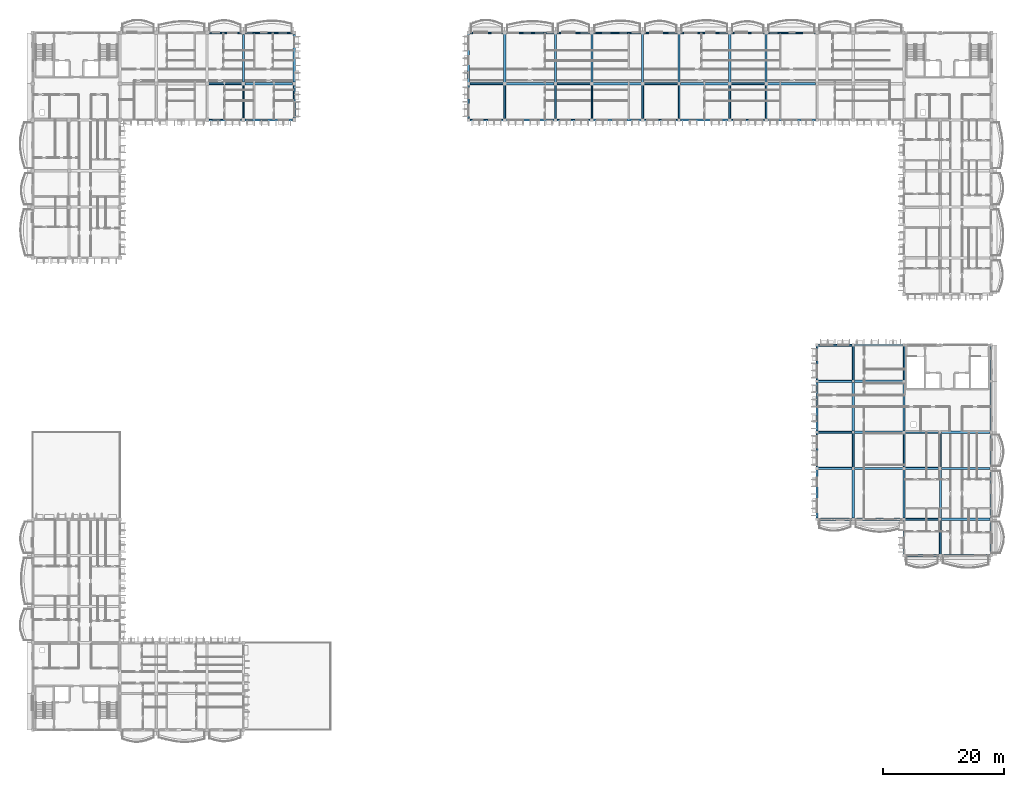
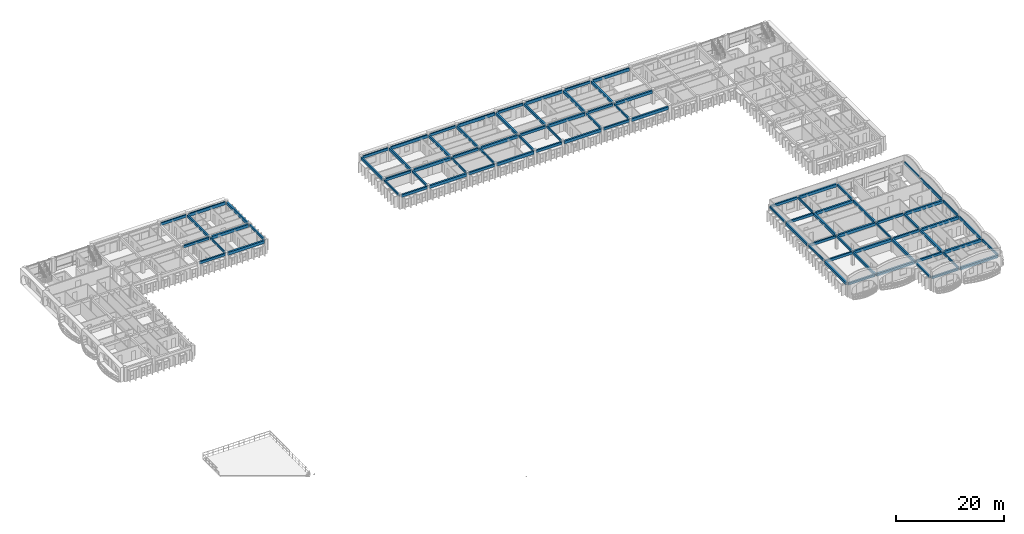
# One storey, part 6 of 59: 89 beams.
"""IFC4 building model written with IfcOpenShell, lengths in metres."""

from ifc_helpers import new_model, si_unit, direction, frame, origin, origin_2d, place, context, subcontext, project, spatial, rectangle, extrude, material, material_profile, profile_set, type_object, element, save


model = new_model("IFC4")

# Units and contexts
model_context = context("Model", 3, precision=1e-05, world=origin(), true_north=direction((0.0, 1.0)))
body_context = subcontext(model_context, "Body", "Model", "MODEL_VIEW")
ifc_project = project(units=[si_unit("LENGTHUNIT", "METRE"), si_unit("AREAUNIT", "SQUARE_METRE"), si_unit("VOLUMEUNIT", "CUBIC_METRE"), si_unit("PLANEANGLEUNIT", "RADIAN"), si_unit("MASSUNIT", "GRAM", prefix="KILO"), si_unit("THERMODYNAMICTEMPERATUREUNIT", "KELVIN")], contexts=[model_context])

# Site, building, storey
site_placement = place(None, origin())
site = spatial("IfcSite", under=ifc_project, at=site_placement, CompositionType="ELEMENT")
building_placement = place(site_placement, origin())
building = spatial("IfcBuilding", under=site, at=building_placement, Name="Thalorik Housing Commons", CompositionType="ELEMENT")
storey_placement = place(building_placement, frame((0.0, 0.0, 27.89990234375)))
storey = spatial("IfcBuildingStorey", under=building, at=storey_placement, Name="L08", CompositionType="ELEMENT", Elevation=27.89990234375)

# Beams
ifc_material = material(Name="Precast concrete C40/50", Category="concrete")
ifc_material_profile_1 = material_profile(ifc_material, rectangle(XDim=0.280029296875, YDim=0.449951171875, at=origin_2d()), Name="PC 280x450", Category="concrete")
ifc_profile_set_1 = profile_set([ifc_material_profile_1], Name="Precast concrete C40/50")
beam_type_1 = type_object("IfcBeamType", Name="STR-BM-PC280x450", PredefinedType="BEAM", material=ifc_profile_set_1)
for number, where, z_axis, x_axis, name in (
    (1, (43.199951171875, 109.449951171875, 2.815185546875), (0.0, 1.0, 0.0), (-1.0, 0.0, 0.0), "L08 Beam B-450"),
    (2, (51.60009765625, 109.449951171875, 2.815185546875), (0.0, 1.0, 0.0), (-1.0, 0.0, 0.0), "L08 Beam B-450"),
):
    element("IfcBeam", number, at=place(storey_placement, frame(where, z_axis=z_axis, x_axis=x_axis)), inside=storey, type_object=beam_type_1, Name=name, PredefinedType="BEAM", context=body_context, shape_type="SweptSolid", body=[
        extrude(rectangle(XDim=0.280029296875, YDim=0.449951171875, at=origin_2d()), origin(), (0.0, 0.0, 1.0), 5.5),
    ])
for number, where, z_axis, x_axis, name in (
    (3, (80.39990234375, 109.425048828125, 2.815185546875), (0.0, 1.0, 0.0), (-1.0, 0.0, 0.0), "L08 Beam B-450"),
    (4, (86.39990234375, 109.425048828125, 2.815185546875), (0.0, 1.0, 0.0), (-1.0, 0.0, 0.0), "L08 Beam B-450"),
    (5, (94.800048828125, 109.425048828125, 2.815185546875), (0.0, 1.0, 0.0), (-1.0, 0.0, 0.0), "L08 Beam B-450"),
    (6, (100.800048828125, 109.425048828125, 2.815185546875), (0.0, 1.0, 0.0), (-1.0, 0.0, 0.0), "L08 Beam B-450"),
    (7, (109.199951171875, 109.425048828125, 2.815185546875), (0.0, 1.0, 0.0), (-1.0, 0.0, 0.0), "L08 Beam B-450"),
    (8, (115.199951171875, 109.425048828125, 2.815185546875), (0.0, 1.0, 0.0), (-1.0, 0.0, 0.0), "L08 Beam B-450"),
    (9, (123.60009765625, 109.425048828125, 2.815185546875), (0.0, 1.0, 0.0), (-1.0, 0.0, 0.0), "L08 Beam B-450"),
    (10, (129.60009765625, 109.425048828125, 2.815185546875), (0.0, 1.0, 0.0), (-1.0, 0.0, 0.0), "L08 Beam B-450"),
):
    element("IfcBeam", number, at=place(storey_placement, frame(where, z_axis=z_axis, x_axis=x_axis)), inside=storey, type_object=beam_type_1, Name=name, PredefinedType="BEAM", context=body_context, shape_type="SweptSolid", body=[
        extrude(rectangle(XDim=0.280029296875, YDim=0.449951171875, at=origin_2d()), origin(), (0.0, 0.0, 1.0), 5.550048828125),
    ])
beam_1_placement = place(storey_placement, frame((138.0, 51.77490234375, 2.815185546875), z_axis=(0.0, 1.0, 0.0), x_axis=(-1.0, 0.0, 0.0)))
element("IfcBeam", 11, at=beam_1_placement, inside=storey, type_object=beam_type_1, Name="L08 Beam B-450", PredefinedType="BEAM", context=body_context, shape_type="SweptSolid", body=[
    extrude(rectangle(XDim=0.280029296875, YDim=0.449951171875, at=origin_2d()), origin(), (0.0, 0.0, 1.0), 5.650146484375),
])
beam_2_placement = place(storey_placement, frame((138.0, 66.175048828125, 2.815185546875), z_axis=(0.0, 1.0, 0.0), x_axis=(-1.0, 0.0, 0.0)))
element("IfcBeam", 12, at=beam_2_placement, inside=storey, type_object=beam_type_1, Name="L08 Beam B-450", PredefinedType="BEAM", context=body_context, shape_type="SweptSolid", body=[
    extrude(rectangle(XDim=0.280029296875, YDim=0.449951171875, at=origin_2d()), origin(), (0.0, 0.0, 1.0), 5.64990234375),
])
beam_3_placement = place(storey_placement, frame((144.0, 51.77490234375, 2.815185546875), z_axis=(0.0, 1.0, 0.0), x_axis=(-1.0, 0.0, 0.0)))
element("IfcBeam", 13, at=beam_3_placement, inside=storey, type_object=beam_type_1, Name="L08 Beam B-450", PredefinedType="BEAM", context=body_context, shape_type="SweptSolid", body=[
    extrude(rectangle(XDim=0.280029296875, YDim=0.449951171875, at=origin_2d()), origin(), (0.0, 0.0, 1.0), 5.650146484375),
])
for number, where, z_axis, x_axis, name in (
    (14, (144.0, 66.175048828125, 2.815185546875), (0.0, 1.0, 0.0), (-1.0, 0.0, 0.0), "L08 Beam B-450"),
    (15, (152.39990234375, 37.375, 2.815185546875), (0.0, 1.0, 0.0), (-1.0, 0.0, 0.0), "L08 Beam B-450"),
):
    element("IfcBeam", number, at=place(storey_placement, frame(where, z_axis=z_axis, x_axis=x_axis)), inside=storey, type_object=beam_type_1, Name=name, PredefinedType="BEAM", context=body_context, shape_type="SweptSolid", body=[
        extrude(rectangle(XDim=0.280029296875, YDim=0.449951171875, at=origin_2d()), origin(), (0.0, 0.0, 1.0), 5.64990234375),
    ])
beam_4_placement = place(storey_placement, frame((152.39990234375, 51.77490234375, 2.815185546875), z_axis=(0.0, 1.0, 0.0), x_axis=(-1.0, 0.0, 0.0)))
element("IfcBeam", 16, at=beam_4_placement, inside=storey, type_object=beam_type_1, Name="L08 Beam B-450", PredefinedType="BEAM", context=body_context, shape_type="SweptSolid", body=[
    extrude(rectangle(XDim=0.280029296875, YDim=0.449951171875, at=origin_2d()), origin(), (0.0, 0.0, 1.0), 5.650146484375),
])
for number, where, z_axis, x_axis, name in (
    (17, (152.39990234375, 66.175048828125, 2.815185546875), (0.0, 1.0, 0.0), (-1.0, 0.0, 0.0), "L08 Beam B-450"),
    (18, (158.39990234375, 37.375, 2.815185546875), (0.0, 1.0, 0.0), (-1.0, 0.0, 0.0), "L08 Beam B-450"),
):
    element("IfcBeam", number, at=place(storey_placement, frame(where, z_axis=z_axis, x_axis=x_axis)), inside=storey, type_object=beam_type_1, Name=name, PredefinedType="BEAM", context=body_context, shape_type="SweptSolid", body=[
        extrude(rectangle(XDim=0.280029296875, YDim=0.449951171875, at=origin_2d()), origin(), (0.0, 0.0, 1.0), 5.64990234375),
    ])
beam_5_placement = place(storey_placement, frame((158.39990234375, 51.77490234375, 2.815185546875), z_axis=(0.0, 1.0, 0.0), x_axis=(-1.0, 0.0, 0.0)))
element("IfcBeam", 19, at=beam_5_placement, inside=storey, type_object=beam_type_1, Name="L08 Beam B-450", PredefinedType="BEAM", context=body_context, shape_type="SweptSolid", body=[
    extrude(rectangle(XDim=0.280029296875, YDim=0.449951171875, at=origin_2d()), origin(), (0.0, 0.0, 1.0), 5.650146484375),
])
ifc_material_profile_2 = material_profile(ifc_material, rectangle(XDim=0.320068359375, YDim=0.550048828125, at=origin_2d()), Name="PC 320x550", Category="concrete")
ifc_profile_set_2 = profile_set([ifc_material_profile_2], Name="Precast concrete C40/50")
beam_type_2 = type_object("IfcBeamType", Name="STR-BM-PC320x550", PredefinedType="BEAM", material=ifc_profile_set_2)
beam_6_placement = place(storey_placement, frame((152.574951171875, 37.199951171875, 2.76513671875), z_axis=(1.0, 0.0, 0.0), x_axis=(0.0, 1.0, 0.0)))
element("IfcBeam", 20, at=beam_6_placement, inside=storey, type_object=beam_type_2, Name="L08 Beam B-550", PredefinedType="BEAM", context=body_context, shape_type="SweptSolid", body=[
    extrude(rectangle(XDim=0.320068359375, YDim=0.550048828125, at=origin_2d()), origin(), (0.0, 0.0, 1.0), 5.650146484375),
])
beam_7_placement = place(storey_placement, frame((138.175048828125, 43.199951171875, 2.76513671875), z_axis=(1.0, 0.0, 0.0), x_axis=(0.0, 1.0, 0.0)))
element("IfcBeam", 21, at=beam_7_placement, inside=storey, type_object=beam_type_2, Name="L08 Beam B-550", PredefinedType="BEAM", context=body_context, shape_type="SweptSolid", body=[
    extrude(rectangle(XDim=0.320068359375, YDim=0.550048828125, at=origin_2d()), origin(), (0.0, 0.0, 1.0), 5.64990234375),
])
beam_8_placement = place(storey_placement, frame((152.574951171875, 43.199951171875, 2.76513671875), z_axis=(1.0, 0.0, 0.0), x_axis=(0.0, 1.0, 0.0)))
element("IfcBeam", 22, at=beam_8_placement, inside=storey, type_object=beam_type_2, Name="L08 Beam B-550", PredefinedType="BEAM", context=body_context, shape_type="SweptSolid", body=[
    extrude(rectangle(XDim=0.320068359375, YDim=0.550048828125, at=origin_2d()), origin(), (0.0, 0.0, 1.0), 5.650146484375),
])
beam_9_placement = place(storey_placement, frame((138.175048828125, 51.60009765625, 2.76513671875), z_axis=(1.0, 0.0, 0.0), x_axis=(0.0, 1.0, 0.0)))
element("IfcBeam", 23, at=beam_9_placement, inside=storey, type_object=beam_type_2, Name="L08 Beam B-550", PredefinedType="BEAM", context=body_context, shape_type="SweptSolid", body=[
    extrude(rectangle(XDim=0.320068359375, YDim=0.550048828125, at=origin_2d()), origin(), (0.0, 0.0, 1.0), 5.64990234375),
])
beam_10_placement = place(storey_placement, frame((152.574951171875, 51.60009765625, 2.76513671875), z_axis=(1.0, 0.0, 0.0), x_axis=(0.0, 1.0, 0.0)))
element("IfcBeam", 24, at=beam_10_placement, inside=storey, type_object=beam_type_2, Name="L08 Beam B-550", PredefinedType="BEAM", context=body_context, shape_type="SweptSolid", body=[
    extrude(rectangle(XDim=0.320068359375, YDim=0.550048828125, at=origin_2d()), origin(), (0.0, 0.0, 1.0), 5.650146484375),
])
beam_11_placement = place(storey_placement, frame((138.175048828125, 57.60009765625, 2.76513671875), z_axis=(1.0, 0.0, 0.0), x_axis=(0.0, 1.0, 0.0)))
element("IfcBeam", 25, at=beam_11_placement, inside=storey, type_object=beam_type_2, Name="L08 Beam B-550", PredefinedType="BEAM", context=body_context, shape_type="SweptSolid", body=[
    extrude(rectangle(XDim=0.320068359375, YDim=0.550048828125, at=origin_2d()), origin(), (0.0, 0.0, 1.0), 5.64990234375),
])
beam_12_placement = place(storey_placement, frame((152.574951171875, 57.60009765625, 2.76513671875), z_axis=(1.0, 0.0, 0.0), x_axis=(0.0, 1.0, 0.0)))
element("IfcBeam", 26, at=beam_12_placement, inside=storey, type_object=beam_type_2, Name="L08 Beam B-550", PredefinedType="BEAM", context=body_context, shape_type="SweptSolid", body=[
    extrude(rectangle(XDim=0.320068359375, YDim=0.550048828125, at=origin_2d()), origin(), (0.0, 0.0, 1.0), 5.650146484375),
])
for number, where, z_axis, x_axis, name in (
    (27, (138.175048828125, 66.0, 2.76513671875), (1.0, 0.0, 0.0), (0.0, 1.0, 0.0), "L08 Beam B-550"),
    (28, (138.175048828125, 72.0, 2.76513671875), (1.0, 0.0, 0.0), (0.0, 1.0, 0.0), "L08 Beam B-550"),
):
    element("IfcBeam", number, at=place(storey_placement, frame(where, z_axis=z_axis, x_axis=x_axis)), inside=storey, type_object=beam_type_2, Name=name, PredefinedType="BEAM", context=body_context, shape_type="SweptSolid", body=[
        extrude(rectangle(XDim=0.320068359375, YDim=0.550048828125, at=origin_2d()), origin(), (0.0, 0.0, 1.0), 5.64990234375),
    ])
beam_13_placement = place(storey_placement, frame((37.449951171875, 109.199951171875, 2.76513671875), z_axis=(1.0, 0.0, 0.0), x_axis=(0.0, 1.0, 0.0)))
element("IfcBeam", 29, at=beam_13_placement, inside=storey, type_object=beam_type_2, Name="L08 Beam B-550", PredefinedType="BEAM", context=body_context, shape_type="SweptSolid", body=[
    extrude(rectangle(XDim=0.320068359375, YDim=0.550048828125, at=origin_2d()), origin(), (0.0, 0.0, 1.0), 5.5),
])
for number, where, z_axis, x_axis, name in (
    (30, (80.625, 109.199951171875, 2.76513671875), (1.0, 0.0, 0.0), (0.0, 1.0, 0.0), "L08 Beam B-550"),
    (31, (95.02490234375, 109.199951171875, 2.76513671875), (1.0, 0.0, 0.0), (0.0, 1.0, 0.0), "L08 Beam B-550"),
    (32, (109.425048828125, 109.199951171875, 2.76513671875), (1.0, 0.0, 0.0), (0.0, 1.0, 0.0), "L08 Beam B-550"),
    (33, (123.824951171875, 109.199951171875, 2.76513671875), (1.0, 0.0, 0.0), (0.0, 1.0, 0.0), "L08 Beam B-550"),
):
    element("IfcBeam", number, at=place(storey_placement, frame(where, z_axis=z_axis, x_axis=x_axis)), inside=storey, type_object=beam_type_2, Name=name, PredefinedType="BEAM", context=body_context, shape_type="SweptSolid", body=[
        extrude(rectangle(XDim=0.320068359375, YDim=0.550048828125, at=origin_2d()), origin(), (0.0, 0.0, 1.0), 5.550048828125),
    ])
beam_14_placement = place(storey_placement, frame((37.449951171875, 115.199951171875, 2.76513671875), z_axis=(1.0, 0.0, 0.0), x_axis=(0.0, 1.0, 0.0)))
element("IfcBeam", 34, at=beam_14_placement, inside=storey, type_object=beam_type_2, Name="L08 Beam B-550", PredefinedType="BEAM", context=body_context, shape_type="SweptSolid", body=[
    extrude(rectangle(XDim=0.320068359375, YDim=0.550048828125, at=origin_2d()), origin(), (0.0, 0.0, 1.0), 5.5),
])
for number, where, z_axis, x_axis, name in (
    (35, (80.625, 115.199951171875, 2.76513671875), (1.0, 0.0, 0.0), (0.0, 1.0, 0.0), "L08 Beam B-550"),
    (36, (95.02490234375, 115.199951171875, 2.76513671875), (1.0, 0.0, 0.0), (0.0, 1.0, 0.0), "L08 Beam B-550"),
    (37, (109.425048828125, 115.199951171875, 2.76513671875), (1.0, 0.0, 0.0), (0.0, 1.0, 0.0), "L08 Beam B-550"),
    (38, (123.824951171875, 115.199951171875, 2.76513671875), (1.0, 0.0, 0.0), (0.0, 1.0, 0.0), "L08 Beam B-550"),
):
    element("IfcBeam", number, at=place(storey_placement, frame(where, z_axis=z_axis, x_axis=x_axis)), inside=storey, type_object=beam_type_2, Name=name, PredefinedType="BEAM", context=body_context, shape_type="SweptSolid", body=[
        extrude(rectangle(XDim=0.320068359375, YDim=0.550048828125, at=origin_2d()), origin(), (0.0, 0.0, 1.0), 5.550048828125),
    ])
ifc_material_profile_3 = material_profile(ifc_material, rectangle(XDim=0.35009765625, YDim=0.60009765625, at=origin_2d()), Name="PC 350x600", Category="concrete")
ifc_profile_set_3 = profile_set([ifc_material_profile_3], Name="Precast concrete C40/50")
beam_type_3 = type_object("IfcBeamType", Name="STR-BM-PC350x600", PredefinedType="BEAM", material=ifc_profile_set_3)
for number, where, z_axis, x_axis, name in (
    (39, (43.199951171875, 115.449951171875, 2.739990234375), (0.0, 1.0, 0.0), (-1.0, 0.0, 0.0), "L08 Beam B-600"),
    (40, (51.60009765625, 115.449951171875, 2.739990234375), (0.0, 1.0, 0.0), (-1.0, 0.0, 0.0), "L08 Beam B-600"),
):
    element("IfcBeam", number, at=place(storey_placement, frame(where, z_axis=z_axis, x_axis=x_axis)), inside=storey, type_object=beam_type_3, Name=name, PredefinedType="BEAM", context=body_context, shape_type="SweptSolid", body=[
        extrude(rectangle(XDim=0.35009765625, YDim=0.60009765625, at=origin_2d()), origin(), (0.0, 0.0, 1.0), 7.900146484375),
    ])
for number, where, z_axis, x_axis, name in (
    (41, (80.39990234375, 115.425048828125, 2.739990234375), (0.0, 1.0, 0.0), (-1.0, 0.0, 0.0), "L08 Beam B-600"),
    (42, (86.39990234375, 115.425048828125, 2.739990234375), (0.0, 1.0, 0.0), (-1.0, 0.0, 0.0), "L08 Beam B-600"),
    (43, (94.800048828125, 115.425048828125, 2.739990234375), (0.0, 1.0, 0.0), (-1.0, 0.0, 0.0), "L08 Beam B-600"),
    (44, (100.800048828125, 115.425048828125, 2.739990234375), (0.0, 1.0, 0.0), (-1.0, 0.0, 0.0), "L08 Beam B-600"),
    (45, (109.199951171875, 115.425048828125, 2.739990234375), (0.0, 1.0, 0.0), (-1.0, 0.0, 0.0), "L08 Beam B-600"),
    (46, (115.199951171875, 115.425048828125, 2.739990234375), (0.0, 1.0, 0.0), (-1.0, 0.0, 0.0), "L08 Beam B-600"),
    (47, (123.60009765625, 115.425048828125, 2.739990234375), (0.0, 1.0, 0.0), (-1.0, 0.0, 0.0), "L08 Beam B-600"),
    (48, (129.60009765625, 115.425048828125, 2.739990234375), (0.0, 1.0, 0.0), (-1.0, 0.0, 0.0), "L08 Beam B-600"),
):
    element("IfcBeam", number, at=place(storey_placement, frame(where, z_axis=z_axis, x_axis=x_axis)), inside=storey, type_object=beam_type_3, Name=name, PredefinedType="BEAM", context=body_context, shape_type="SweptSolid", body=[
        extrude(rectangle(XDim=0.35009765625, YDim=0.60009765625, at=origin_2d()), origin(), (0.0, 0.0, 1.0), 7.949951171875),
    ])
for number, where, z_axis, x_axis, name in (
    (49, (138.0, 43.375, 2.739990234375), (0.0, 1.0, 0.0), (-1.0, 0.0, 0.0), "L08 Beam B-600"),
    (50, (138.0, 57.77490234375, 2.739990234375), (0.0, 1.0, 0.0), (-1.0, 0.0, 0.0), "L08 Beam B-600"),
    (51, (144.0, 43.375, 2.739990234375), (0.0, 1.0, 0.0), (-1.0, 0.0, 0.0), "L08 Beam B-600"),
    (52, (144.0, 57.77490234375, 2.739990234375), (0.0, 1.0, 0.0), (-1.0, 0.0, 0.0), "L08 Beam B-600"),
    (53, (152.39990234375, 43.375, 2.739990234375), (0.0, 1.0, 0.0), (-1.0, 0.0, 0.0), "L08 Beam B-600"),
    (54, (152.39990234375, 57.77490234375, 2.739990234375), (0.0, 1.0, 0.0), (-1.0, 0.0, 0.0), "L08 Beam B-600"),
    (55, (158.39990234375, 43.375, 2.739990234375), (0.0, 1.0, 0.0), (-1.0, 0.0, 0.0), "L08 Beam B-600"),
):
    element("IfcBeam", number, at=place(storey_placement, frame(where, z_axis=z_axis, x_axis=x_axis)), inside=storey, type_object=beam_type_3, Name=name, PredefinedType="BEAM", context=body_context, shape_type="SweptSolid", body=[
        extrude(rectangle(XDim=0.35009765625, YDim=0.60009765625, at=origin_2d()), origin(), (0.0, 0.0, 1.0), 8.050048828125),
    ])
ifc_material_profile_4 = material_profile(ifc_material, rectangle(XDim=0.3798828125, YDim=0.64990234375, at=origin_2d()), Name="PC 380x650", Category="concrete")
ifc_profile_set_4 = profile_set([ifc_material_profile_4], Name="Precast concrete C40/50")
beam_type_4 = type_object("IfcBeamType", Name="STR-BM-PC380x650", PredefinedType="BEAM", material=ifc_profile_set_4)
for number, where, z_axis, x_axis, name in (
    (56, (158.574951171875, 37.199951171875, 2.715087890625), (1.0, 0.0, 0.0), (0.0, 1.0, 0.0), "L08 Beam B-650"),
    (57, (144.175048828125, 43.199951171875, 2.715087890625), (1.0, 0.0, 0.0), (0.0, 1.0, 0.0), "L08 Beam B-650"),
    (58, (158.574951171875, 43.199951171875, 2.715087890625), (1.0, 0.0, 0.0), (0.0, 1.0, 0.0), "L08 Beam B-650"),
    (59, (144.175048828125, 51.60009765625, 2.715087890625), (1.0, 0.0, 0.0), (0.0, 1.0, 0.0), "L08 Beam B-650"),
    (60, (158.574951171875, 51.60009765625, 2.715087890625), (1.0, 0.0, 0.0), (0.0, 1.0, 0.0), "L08 Beam B-650"),
    (61, (144.175048828125, 57.60009765625, 2.715087890625), (1.0, 0.0, 0.0), (0.0, 1.0, 0.0), "L08 Beam B-650"),
    (62, (158.574951171875, 57.60009765625, 2.715087890625), (1.0, 0.0, 0.0), (0.0, 1.0, 0.0), "L08 Beam B-650"),
    (63, (144.175048828125, 66.0, 2.715087890625), (1.0, 0.0, 0.0), (0.0, 1.0, 0.0), "L08 Beam B-650"),
    (64, (144.175048828125, 72.0, 2.715087890625), (1.0, 0.0, 0.0), (0.0, 1.0, 0.0), "L08 Beam B-650"),
):
    element("IfcBeam", number, at=place(storey_placement, frame(where, z_axis=z_axis, x_axis=x_axis)), inside=storey, type_object=beam_type_4, Name=name, PredefinedType="BEAM", context=body_context, shape_type="SweptSolid", body=[
        extrude(rectangle(XDim=0.3798828125, YDim=0.64990234375, at=origin_2d()), origin(), (0.0, 0.0, 1.0), 8.050048828125),
    ])
beam_15_placement = place(storey_placement, frame((43.449951171875, 109.199951171875, 2.715087890625), z_axis=(1.0, 0.0, 0.0), x_axis=(0.0, 1.0, 0.0)))
element("IfcBeam", 65, at=beam_15_placement, inside=storey, type_object=beam_type_4, Name="L08 Beam B-650", PredefinedType="BEAM", context=body_context, shape_type="SweptSolid", body=[
    extrude(rectangle(XDim=0.3798828125, YDim=0.64990234375, at=origin_2d()), origin(), (0.0, 0.0, 1.0), 7.900146484375),
])
beam_16_placement = place(storey_placement, frame((86.625, 109.199951171875, 2.715087890625), z_axis=(1.0, 0.0, 0.0), x_axis=(0.0, 1.0, 0.0)))
element("IfcBeam", 66, at=beam_16_placement, inside=storey, type_object=beam_type_4, Name="L08 Beam B-650", PredefinedType="BEAM", context=body_context, shape_type="SweptSolid", body=[
    extrude(rectangle(XDim=0.3798828125, YDim=0.64990234375, at=origin_2d()), origin(), (0.0, 0.0, 1.0), 7.949951171875),
])
beam_17_placement = place(storey_placement, frame((101.02490234375, 109.199951171875, 2.715087890625), z_axis=(1.0, 0.0, 0.0), x_axis=(0.0, 1.0, 0.0)))
element("IfcBeam", 67, at=beam_17_placement, inside=storey, type_object=beam_type_4, Name="L08 Beam B-650", PredefinedType="BEAM", context=body_context, shape_type="SweptSolid", body=[
    extrude(rectangle(XDim=0.3798828125, YDim=0.64990234375, at=origin_2d()), origin(), (0.0, 0.0, 1.0), 7.9501953125),
])
for number, where, z_axis, x_axis, name in (
    (68, (115.425048828125, 109.199951171875, 2.715087890625), (1.0, 0.0, 0.0), (0.0, 1.0, 0.0), "L08 Beam B-650"),
    (69, (129.824951171875, 109.199951171875, 2.715087890625), (1.0, 0.0, 0.0), (0.0, 1.0, 0.0), "L08 Beam B-650"),
):
    element("IfcBeam", number, at=place(storey_placement, frame(where, z_axis=z_axis, x_axis=x_axis)), inside=storey, type_object=beam_type_4, Name=name, PredefinedType="BEAM", context=body_context, shape_type="SweptSolid", body=[
        extrude(rectangle(XDim=0.3798828125, YDim=0.64990234375, at=origin_2d()), origin(), (0.0, 0.0, 1.0), 7.949951171875),
    ])
beam_18_placement = place(storey_placement, frame((43.449951171875, 115.199951171875, 2.715087890625), z_axis=(1.0, 0.0, 0.0), x_axis=(0.0, 1.0, 0.0)))
element("IfcBeam", 70, at=beam_18_placement, inside=storey, type_object=beam_type_4, Name="L08 Beam B-650", PredefinedType="BEAM", context=body_context, shape_type="SweptSolid", body=[
    extrude(rectangle(XDim=0.3798828125, YDim=0.64990234375, at=origin_2d()), origin(), (0.0, 0.0, 1.0), 7.900146484375),
])
beam_19_placement = place(storey_placement, frame((86.625, 115.199951171875, 2.715087890625), z_axis=(1.0, 0.0, 0.0), x_axis=(0.0, 1.0, 0.0)))
element("IfcBeam", 71, at=beam_19_placement, inside=storey, type_object=beam_type_4, Name="L08 Beam B-650", PredefinedType="BEAM", context=body_context, shape_type="SweptSolid", body=[
    extrude(rectangle(XDim=0.3798828125, YDim=0.64990234375, at=origin_2d()), origin(), (0.0, 0.0, 1.0), 7.949951171875),
])
beam_20_placement = place(storey_placement, frame((101.02490234375, 115.199951171875, 2.715087890625), z_axis=(1.0, 0.0, 0.0), x_axis=(0.0, 1.0, 0.0)))
element("IfcBeam", 72, at=beam_20_placement, inside=storey, type_object=beam_type_4, Name="L08 Beam B-650", PredefinedType="BEAM", context=body_context, shape_type="SweptSolid", body=[
    extrude(rectangle(XDim=0.3798828125, YDim=0.64990234375, at=origin_2d()), origin(), (0.0, 0.0, 1.0), 7.9501953125),
])
for number, where, z_axis, x_axis, name in (
    (73, (115.425048828125, 115.199951171875, 2.715087890625), (1.0, 0.0, 0.0), (0.0, 1.0, 0.0), "L08 Beam B-650"),
    (74, (129.824951171875, 115.199951171875, 2.715087890625), (1.0, 0.0, 0.0), (0.0, 1.0, 0.0), "L08 Beam B-650"),
):
    element("IfcBeam", number, at=place(storey_placement, frame(where, z_axis=z_axis, x_axis=x_axis)), inside=storey, type_object=beam_type_4, Name=name, PredefinedType="BEAM", context=body_context, shape_type="SweptSolid", body=[
        extrude(rectangle(XDim=0.3798828125, YDim=0.64990234375, at=origin_2d()), origin(), (0.0, 0.0, 1.0), 7.949951171875),
    ])
ifc_material_profile_5 = material_profile(ifc_material, rectangle(XDim=0.239990234375, YDim=0.580078125, at=origin_2d()), Name="PC SP 240x580", Category="concrete")
ifc_profile_set_5 = profile_set([ifc_material_profile_5], Name="Precast concrete C40/50")
beam_type_5 = type_object("IfcBeamType", Name="STR-SP-PC240x580", PredefinedType="SPANDREL", material=ifc_profile_set_5)
beam_21_placement = place(storey_placement, frame((37.449951171875, 123.60009765625, 2.75), z_axis=(1.0, 0.0, 0.0), x_axis=(0.0, 1.0, 0.0)))
element("IfcBeam", 75, at=beam_21_placement, inside=storey, type_object=beam_type_5, Name="L08 Beam B-550", PredefinedType="SPANDREL", context=body_context, shape_type="SweptSolid", body=[
    extrude(rectangle(XDim=0.239990234375, YDim=0.580078125, at=origin_2d()), origin(), (0.0, 0.0, 1.0), 5.5),
])
for number, where, z_axis, x_axis, name in (
    (76, (80.625, 123.60009765625, 2.75), (1.0, 0.0, 0.0), (0.0, 1.0, 0.0), "L08 Beam B-550"),
    (77, (95.02490234375, 123.60009765625, 2.75), (1.0, 0.0, 0.0), (0.0, 1.0, 0.0), "L08 Beam B-550"),
    (78, (109.425048828125, 123.60009765625, 2.75), (1.0, 0.0, 0.0), (0.0, 1.0, 0.0), "L08 Beam B-550"),
    (79, (123.824951171875, 123.60009765625, 2.75), (1.0, 0.0, 0.0), (0.0, 1.0, 0.0), "L08 Beam B-550"),
):
    element("IfcBeam", number, at=place(storey_placement, frame(where, z_axis=z_axis, x_axis=x_axis)), inside=storey, type_object=beam_type_5, Name=name, PredefinedType="SPANDREL", context=body_context, shape_type="SweptSolid", body=[
        extrude(rectangle(XDim=0.239990234375, YDim=0.580078125, at=origin_2d()), origin(), (0.0, 0.0, 1.0), 5.550048828125),
    ])
beam_22_placement = place(storey_placement, frame((166.800048828125, 37.375, 2.75), z_axis=(0.0, 1.0, 0.0), x_axis=(-1.0, 0.0, 0.0)))
element("IfcBeam", 80, at=beam_22_placement, inside=storey, type_object=beam_type_5, Name="L08 Beam B-450", PredefinedType="SPANDREL", context=body_context, shape_type="SweptSolid", body=[
    extrude(rectangle(XDim=0.239990234375, YDim=0.580078125, at=origin_2d()), origin(), (0.0, 0.0, 1.0), 5.64990234375),
])
beam_23_placement = place(storey_placement, frame((166.800048828125, 51.77490234375, 2.75), z_axis=(0.0, 1.0, 0.0), x_axis=(-1.0, 0.0, 0.0)))
element("IfcBeam", 81, at=beam_23_placement, inside=storey, type_object=beam_type_5, Name="L08 Beam B-450", PredefinedType="SPANDREL", context=body_context, shape_type="SweptSolid", body=[
    extrude(rectangle(XDim=0.239990234375, YDim=0.580078125, at=origin_2d()), origin(), (0.0, 0.0, 1.0), 5.650146484375),
])
beam_24_placement = place(storey_placement, frame((166.800048828125, 66.175048828125, 2.75), z_axis=(0.0, 1.0, 0.0), x_axis=(-1.0, 0.0, 0.0)))
element("IfcBeam", 82, at=beam_24_placement, inside=storey, type_object=beam_type_5, Name="L08 Beam B-450", PredefinedType="SPANDREL", context=body_context, shape_type="SweptSolid", body=[
    extrude(rectangle(XDim=0.239990234375, YDim=0.580078125, at=origin_2d()), origin(), (0.0, 0.0, 1.0), 5.64990234375),
])
ifc_material_profile_6 = material_profile(ifc_material, rectangle(XDim=0.260009765625, YDim=0.679931640625, at=origin_2d()), Name="PC SP 260x680", Category="concrete")
ifc_profile_set_6 = profile_set([ifc_material_profile_6], Name="Precast concrete C40/50")
beam_type_6 = type_object("IfcBeamType", Name="STR-SP-PC260x680", PredefinedType="SPANDREL", material=ifc_profile_set_6)
beam_25_placement = place(storey_placement, frame((43.449951171875, 123.60009765625, 2.7001953125), z_axis=(1.0, 0.0, 0.0), x_axis=(0.0, 1.0, 0.0)))
element("IfcBeam", 83, at=beam_25_placement, inside=storey, type_object=beam_type_6, Name="L08 Beam B-650", PredefinedType="SPANDREL", context=body_context, shape_type="SweptSolid", body=[
    extrude(rectangle(XDim=0.260009765625, YDim=0.679931640625, at=origin_2d()), origin(), (0.0, 0.0, 1.0), 7.900146484375),
])
beam_26_placement = place(storey_placement, frame((86.625, 123.60009765625, 2.7001953125), z_axis=(1.0, 0.0, 0.0), x_axis=(0.0, 1.0, 0.0)))
element("IfcBeam", 84, at=beam_26_placement, inside=storey, type_object=beam_type_6, Name="L08 Beam B-650", PredefinedType="SPANDREL", context=body_context, shape_type="SweptSolid", body=[
    extrude(rectangle(XDim=0.260009765625, YDim=0.679931640625, at=origin_2d()), origin(), (0.0, 0.0, 1.0), 7.949951171875),
])
beam_27_placement = place(storey_placement, frame((101.02490234375, 123.60009765625, 2.7001953125), z_axis=(1.0, 0.0, 0.0), x_axis=(0.0, 1.0, 0.0)))
element("IfcBeam", 85, at=beam_27_placement, inside=storey, type_object=beam_type_6, Name="L08 Beam B-650", PredefinedType="SPANDREL", context=body_context, shape_type="SweptSolid", body=[
    extrude(rectangle(XDim=0.260009765625, YDim=0.679931640625, at=origin_2d()), origin(), (0.0, 0.0, 1.0), 7.9501953125),
])
for number, where, z_axis, x_axis, name in (
    (86, (115.425048828125, 123.60009765625, 2.7001953125), (1.0, 0.0, 0.0), (0.0, 1.0, 0.0), "L08 Beam B-650"),
    (87, (129.824951171875, 123.60009765625, 2.7001953125), (1.0, 0.0, 0.0), (0.0, 1.0, 0.0), "L08 Beam B-650"),
):
    element("IfcBeam", number, at=place(storey_placement, frame(where, z_axis=z_axis, x_axis=x_axis)), inside=storey, type_object=beam_type_6, Name=name, PredefinedType="SPANDREL", context=body_context, shape_type="SweptSolid", body=[
        extrude(rectangle(XDim=0.260009765625, YDim=0.679931640625, at=origin_2d()), origin(), (0.0, 0.0, 1.0), 7.949951171875),
    ])
for number, where, z_axis, x_axis, name in (
    (88, (166.800048828125, 43.375, 2.7001953125), (0.0, 1.0, 0.0), (-1.0, 0.0, 0.0), "L08 Beam B-600"),
    (89, (166.800048828125, 57.77490234375, 2.7001953125), (0.0, 1.0, 0.0), (-1.0, 0.0, 0.0), "L08 Beam B-600"),
):
    element("IfcBeam", number, at=place(storey_placement, frame(where, z_axis=z_axis, x_axis=x_axis)), inside=storey, type_object=beam_type_6, Name=name, PredefinedType="SPANDREL", context=body_context, shape_type="SweptSolid", body=[
        extrude(rectangle(XDim=0.260009765625, YDim=0.679931640625, at=origin_2d()), origin(), (0.0, 0.0, 1.0), 8.050048828125),
    ])

save(model, "model.ifc")
